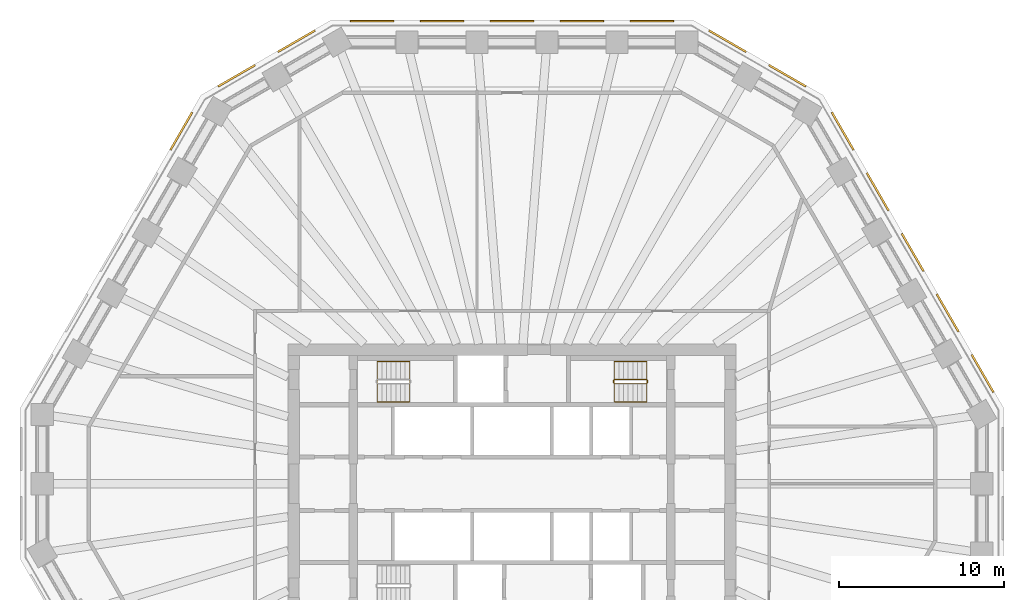
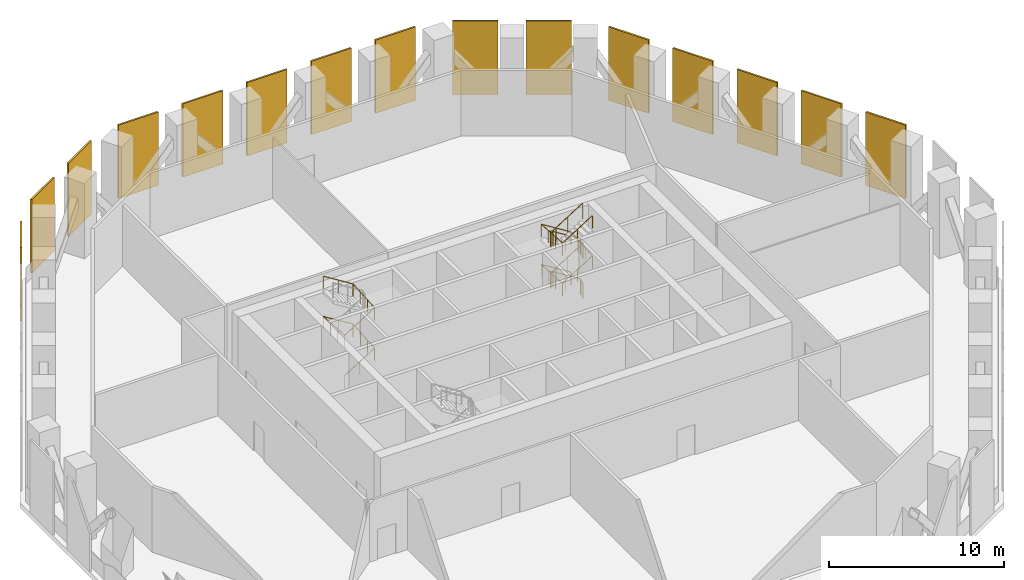
# One storey, part 8 of 8: 15 coverings, 3 railings.
"""IFC4 building model written with IfcOpenShell, lengths in metres."""

from ifc_helpers import new_model, si_unit, direction, frame, origin, origin_2d, place, context, subcontext, project, spatial, polyline, circle, outline, extrude, material, layer, layer_set, type_object, element, save


model = new_model("IFC4")

# Units and contexts
model_context = context("Model", 3, precision=1e-05, world=origin(), true_north=direction((0.0, 1.0)))
body_context = subcontext(model_context, "Body", "Model", "MODEL_VIEW")
ifc_project = project(units=[si_unit("LENGTHUNIT", "METRE"), si_unit("AREAUNIT", "SQUARE_METRE"), si_unit("VOLUMEUNIT", "CUBIC_METRE"), si_unit("PLANEANGLEUNIT", "RADIAN"), si_unit("MASSUNIT", "GRAM", prefix="KILO")], contexts=[model_context])

# Site, building, storey
site_placement = place(None, origin())
site = spatial("IfcSite", under=ifc_project, at=site_placement, CompositionType="ELEMENT")
building_placement = place(site_placement, origin())
building = spatial("IfcBuilding", under=site, at=building_placement, Name="Frailejon Research Tower", CompositionType="ELEMENT")
storey_placement = place(building_placement, frame((0.0, 0.0, 139.60009765625)))
storey = spatial("IfcBuildingStorey", under=building, at=storey_placement, Name="L30", CompositionType="ELEMENT", Elevation=139.60009765625)

# Coverings
ifc_material_1 = material(Name="Anodised aluminium louvres", Category="aluminium")
ifc_layer = layer(ifc_material_1, 0.1201171875)
ifc_layer_set = layer_set([ifc_layer], Name="Plant louvre screen 120")
covering_type = type_object("IfcCoveringType", Name="Plant louvre screen 120", PredefinedType="CLADDING", material=ifc_layer_set)
for number, where, z_axis, x_axis, name in (
    (1, (27.865966796875, 7.834716796875, 0.0), (0.500012227926, -0.866018343873, 0.0), (0.866018343873, 0.500012227926, 0.0), "Plant louvre screen L30"),
    (2, (25.75, 11.499755859375, 0.0), (0.499984274002, -0.866034483003, 0.0), (0.866034483003, 0.499984274002, 0.0), "Plant louvre screen L30"),
):
    element("IfcCovering", number, at=place(storey_placement, frame(where, z_axis=z_axis, x_axis=x_axis)), inside=storey, type_object=covering_type, Name=name, PredefinedType="CLADDING", context=body_context, shape_type="SweptSolid", body=[
        extrude(outline(polyline([(-0.1201171875, 0.0), (0.0, 0.0), (0.0, 5.10009765625), (-0.1201171875, 5.10009765625), (-0.1201171875, 0.0)])), origin(), (0.0, 0.0, 1.0), 2.6318359375),
    ])
for number, where, z_axis, x_axis, name in (
    (3, (23.634033203125, 15.164794921875, 0.0), (0.500001996169, -0.866024251293, 0.0), (0.866024251293, 0.500001996169, 0.0), "Plant louvre screen L30"),
    (4, (21.51806640625, 18.82958984375, 0.0), (0.500001996169, -0.866024251293, 0.0), (0.866024251293, 0.500001996169, 0.0), "Plant louvre screen L30"),
):
    element("IfcCovering", number, at=place(storey_placement, frame(where, z_axis=z_axis, x_axis=x_axis)), inside=storey, type_object=covering_type, Name=name, PredefinedType="CLADDING", context=body_context, shape_type="SweptSolid", body=[
        extrude(outline(polyline([(-0.1201171875, 0.0), (0.0, 0.0), (0.0, 5.10009765625), (-0.1201171875, 5.10009765625), (-0.1201171875, 0.0)])), origin(), (0.0, 0.0, 1.0), 2.632080078125),
    ])
covering_1_placement = place(storey_placement, frame((19.402099609375, 22.49462890625, 0.0), z_axis=(0.500012227926, -0.866018343873, 0.0), x_axis=(0.866018343873, 0.500012227926, 0.0)))
element("IfcCovering", 5, at=covering_1_placement, inside=storey, type_object=covering_type, Name="Plant louvre screen L30", PredefinedType="CLADDING", context=body_context, shape_type="SweptSolid", body=[
    extrude(outline(polyline([(-0.1201171875, 0.0), (0.0, 0.0), (0.0, 5.10009765625), (-0.1201171875, 5.10009765625), (-0.1201171875, 0.0)])), origin(), (0.0, 0.0, 1.0), 2.6318359375),
])
for number, where, z_axis, x_axis, name in (
    (6, (15.57421875, 25.375244140625, 0.0), (0.866021344981, -0.500007029989, 0.0), (0.500007029989, 0.866021344981, 0.0), "Plant louvre screen L30"),
    (7, (11.94775390625, 27.468994140625, 0.0), (0.866021344981, -0.500007029989, 0.0), (0.500007029989, 0.866021344981, 0.0), "Plant louvre screen L30"),
):
    element("IfcCovering", number, at=place(storey_placement, frame(where, z_axis=z_axis, x_axis=x_axis)), inside=storey, type_object=covering_type, Name=name, PredefinedType="CLADDING", context=body_context, shape_type="SweptSolid", body=[
        extrude(outline(polyline([(-0.1201171875, 0.0), (0.0, 0.0), (0.0, 5.10009765625), (-0.1201171875, 5.10009765625), (-0.1201171875, 0.0)])), origin(), (0.0, 0.0, 1.0), 2.58740234375),
    ])
covering_2_placement = place(storey_placement, frame((7.14794921875, 28.050048828125, 0.0), z_axis=(1.0, 0.0, 0.0), x_axis=(0.0, 1.0, 0.0)))
element("IfcCovering", 8, at=covering_2_placement, inside=storey, type_object=covering_type, Name="Plant louvre screen L30", PredefinedType="CLADDING", context=body_context, shape_type="SweptSolid", body=[
    extrude(outline(polyline([(-0.1201171875, 0.0), (0.0, 0.0), (0.0, 5.10009765625), (-0.1201171875, 5.10009765625), (-0.1201171875, 0.0)])), origin(), (0.0, 0.0, 1.0), 2.632080078125),
])
covering_3_placement = place(storey_placement, frame((2.916015625, 28.050048828125, 0.0), z_axis=(1.0, 0.0, 0.0), x_axis=(0.0, 1.0, 0.0)))
element("IfcCovering", 9, at=covering_3_placement, inside=storey, type_object=covering_type, Name="Plant louvre screen L30", PredefinedType="CLADDING", context=body_context, shape_type="SweptSolid", body=[
    extrude(outline(polyline([(-0.1201171875, 0.0), (0.0, 0.0), (0.0, 5.10009765625), (-0.1201171875, 5.10009765625), (-0.1201171875, 0.0)])), origin(), (0.0, 0.0, 1.0), 2.6318359375),
])
covering_4_placement = place(storey_placement, frame((-1.31591796875, 28.050048828125, 0.0), z_axis=(1.0, 0.0, 0.0), x_axis=(0.0, 1.0, 0.0)))
element("IfcCovering", 10, at=covering_4_placement, inside=storey, type_object=covering_type, Name="Plant louvre screen L30", PredefinedType="CLADDING", context=body_context, shape_type="SweptSolid", body=[
    extrude(outline(polyline([(-0.1201171875, 0.0), (0.0, 0.0), (0.0, 5.10009765625), (-0.1201171875, 5.10009765625), (-0.1201171875, 0.0)])), origin(), (0.0, 0.0, 1.0), 2.632080078125),
])
covering_5_placement = place(storey_placement, frame((-5.5478515625, 28.050048828125, 0.0), z_axis=(1.0, 0.0, 0.0), x_axis=(0.0, 1.0, 0.0)))
element("IfcCovering", 11, at=covering_5_placement, inside=storey, type_object=covering_type, Name="Plant louvre screen L30", PredefinedType="CLADDING", context=body_context, shape_type="SweptSolid", body=[
    extrude(outline(polyline([(-0.1201171875, 0.0), (0.0, 0.0), (0.0, 5.10009765625), (-0.1201171875, 5.10009765625), (-0.1201171875, 0.0)])), origin(), (0.0, 0.0, 1.0), 2.6318359375),
])
covering_6_placement = place(storey_placement, frame((-9.77978515625, 28.050048828125, 0.0), z_axis=(1.0, 0.0, 0.0), x_axis=(0.0, 1.0, 0.0)))
element("IfcCovering", 12, at=covering_6_placement, inside=storey, type_object=covering_type, Name="Plant louvre screen L30", PredefinedType="CLADDING", context=body_context, shape_type="SweptSolid", body=[
    extrude(outline(polyline([(-0.1201171875, 0.0), (0.0, 0.0), (0.0, 5.10009765625), (-0.1201171875, 5.10009765625), (-0.1201171875, 0.0)])), origin(), (0.0, 0.0, 1.0), 2.632080078125),
])
for number, where, z_axis, x_axis, name in (
    (13, (-14.188720703125, 26.17529296875, 0.0), (0.866021344981, 0.500007029989, 0.0), (-0.500007029989, 0.866021344981, 0.0), "Plant louvre screen L30"),
    (14, (-17.815185546875, 24.08154296875, 0.0), (0.866021344981, 0.500007029989, 0.0), (-0.500007029989, 0.866021344981, 0.0), "Plant louvre screen L30"),
):
    element("IfcCovering", number, at=place(storey_placement, frame(where, z_axis=z_axis, x_axis=x_axis)), inside=storey, type_object=covering_type, Name=name, PredefinedType="CLADDING", context=body_context, shape_type="SweptSolid", body=[
        extrude(outline(polyline([(-0.1201171875, 0.0), (0.0, 0.0), (0.0, 5.10009765625), (-0.1201171875, 5.10009765625), (-0.1201171875, 0.0)])), origin(), (0.0, 0.0, 1.0), 2.58740234375),
    ])
covering_7_placement = place(storey_placement, frame((-20.718017578125, 20.21533203125, 0.0), z_axis=(0.500012227926, 0.866018343873, 0.0), x_axis=(-0.866018343873, 0.500012227926, 0.0)))
element("IfcCovering", 15, at=covering_7_placement, inside=storey, type_object=covering_type, Name="Plant louvre screen L30", PredefinedType="CLADDING", context=body_context, shape_type="SweptSolid", body=[
    extrude(outline(polyline([(-0.1201171875, 0.0), (0.0, 0.0), (0.0, 5.10009765625), (-0.1201171875, 5.10009765625), (-0.1201171875, 0.0)])), origin(), (0.0, 0.0, 1.0), 2.6318359375),
])

# Railings
ifc_material_2 = material(Name="Stainless steel", Category="steel")
railing_type_1 = type_object("IfcRailingType", Name="Stair guard 1100", PredefinedType="GUARDRAIL", material=ifc_material_2)
railing_1_placement = place(storey_placement, frame((8.199951171875, 6.10009765625, 0.0)))
element("IfcRailing", 16, at=railing_1_placement, inside=storey, type_object=railing_type_1, Name="L30 ST3 stair guard 1", PredefinedType="GUARDRAIL", context=body_context, shape_type="SweptSolid", body=[
    extrude(circle(Radius=0.02392578125, at=origin_2d()), frame((0.0, 0.0, 1.076171875), z_axis=(0.0, 1.0, 0.0), x_axis=(-1.0, 0.0, 0.0)), (0.0, 0.0, 1.0), 0.14990234375),
    extrude(circle(Radius=0.02392578125, at=origin_2d()), frame((0.0, 0.14990234375, 1.076171875), z_axis=(-0.265383341853, 0.265383341853, 0.926899867156), x_axis=(-0.707106781187, -0.707106781187, 0.0)), (0.0, 0.0, 1.0), 0.1884765625),
    extrude(circle(Radius=0.02392578125, at=origin_2d()), frame((-0.050048828125, 0.199951171875, 1.2509765625), z_axis=(-0.847974566722, 0.0, 0.530036917764), x_axis=(0.0, -1.0, 0.0)), (0.0, 0.0, 1.0), 2.311279296875),
    extrude(circle(Radius=0.02392578125, at=origin_2d()), frame((-2.010009765625, 0.199951171875, 2.47607421875), z_axis=(-0.707106781187, -0.707106781187, 0.0), x_axis=(0.707106781187, -0.707106781187, 0.0)), (0.0, 0.0, 1.0), 0.07080078125),
    extrude(circle(Radius=0.02392578125, at=origin_2d()), frame((-2.06005859375, 0.14990234375, 2.47607421875), z_axis=(0.0, -1.0, 0.0), x_axis=(1.0, 0.0, 0.0)), (0.0, 0.0, 1.0), 0.14990234375),
    extrude(circle(Radius=0.02392578125, at=origin_2d()), frame((-2.06005859375, 0.0, 2.47607421875), z_axis=(0.265065253269, -0.265065253269, 0.927081885822), x_axis=(0.707106781187, 0.707106781187, 0.0)), (0.0, 0.0, 1.0), 0.188720703125),
    extrude(circle(Radius=0.02392578125, at=origin_2d()), frame((-2.010009765625, -0.050048828125, 2.65087890625), z_axis=(0.848022040916, 0.0, 0.529960959053), x_axis=(0.0, 1.0, 0.0)), (0.0, 0.0, 1.0), 2.311279296875),
    extrude(circle(Radius=0.02392578125, at=origin_2d()), frame((-0.050048828125, -0.050048828125, 3.8759765625), z_axis=(0.707106781187, 0.707106781187, 0.0), x_axis=(-0.707106781187, 0.707106781187, 0.0)), (0.0, 0.0, 1.0), 0.07080078125),
    extrude(circle(Radius=0.02392578125, at=origin_2d()), frame((0.0, 0.0, 3.8759765625), z_axis=(0.0, 1.0, 0.0), x_axis=(-1.0, 0.0, 0.0)), (0.0, 0.0, 1.0), 0.14990234375),
    extrude(circle(Radius=0.02392578125, at=origin_2d()), frame((0.0, 0.14990234375, 3.8759765625), z_axis=(-0.265065253269, 0.265065253269, 0.927081885822), x_axis=(-0.707106781187, -0.707106781187, 0.0)), (0.0, 0.0, 1.0), 0.188720703125),
    extrude(circle(Radius=0.02392578125, at=origin_2d()), frame((-0.050048828125, 0.199951171875, 4.05078125), z_axis=(-0.847974566722, 0.0, 0.530036917764), x_axis=(0.0, -1.0, 0.0)), (0.0, 0.0, 1.0), 2.311279296875),
    extrude(circle(Radius=0.02392578125, at=origin_2d()), frame((-2.010009765625, 0.199951171875, 5.27587890625), z_axis=(-0.707106781187, -0.707106781187, 0.0), x_axis=(0.707106781187, -0.707106781187, 0.0)), (0.0, 0.0, 1.0), 0.07080078125),
    extrude(circle(Radius=0.02392578125, at=origin_2d()), frame((-2.06005859375, 0.14990234375, 5.27587890625), z_axis=(0.0, -1.0, 0.0), x_axis=(1.0, 0.0, 0.0)), (0.0, 0.0, 1.0), 0.14990234375),
    extrude(circle(Radius=0.02392578125, at=origin_2d()), frame((-2.06005859375, 0.0, 5.27587890625), z_axis=(0.265065253269, -0.265065253269, 0.927081885822), x_axis=(0.707106781187, 0.707106781187, 0.0)), (0.0, 0.0, 1.0), 0.188720703125),
    extrude(circle(Radius=0.02392578125, at=origin_2d()), frame((-2.010009765625, -0.050048828125, 5.451171875), z_axis=(0.848022040916, 0.0, 0.529960959053), x_axis=(0.0, 1.0, 0.0)), (0.0, 0.0, 1.0), 2.311279296875),
    extrude(circle(Radius=0.02099609375, at=origin_2d()), origin(), (0.0, 0.0, 1.0), 1.052001953125),
    extrude(circle(Radius=0.02099609375, at=origin_2d()), frame((0.0, 0.14990234375, 0.0)), (0.0, 0.0, 1.0), 1.052001953125),
    extrude(circle(Radius=0.02099609375, at=origin_2d()), frame((-0.050048828125, 0.199951171875, 0.1748046875)), (0.0, 0.0, 1.0), 1.052001953125),
    extrude(circle(Radius=0.02099609375, at=origin_2d()), frame((-1.030029296875, 0.199951171875, 0.787353515625)), (0.0, 0.0, 1.0), 1.052001953125),
    extrude(circle(Radius=0.02099609375, at=origin_2d()), frame((-2.010009765625, 0.199951171875, 1.39990234375)), (0.0, 0.0, 1.0), 1.052001953125),
    extrude(circle(Radius=0.02099609375, at=origin_2d()), frame((-2.06005859375, 0.14990234375, 1.39990234375)), (0.0, 0.0, 1.0), 1.052001953125),
    extrude(circle(Radius=0.02099609375, at=origin_2d()), frame((-2.06005859375, 0.0, 1.39990234375)), (0.0, 0.0, 1.0), 1.052001953125),
    extrude(circle(Radius=0.02099609375, at=origin_2d()), frame((-2.010009765625, -0.050048828125, 1.574951171875)), (0.0, 0.0, 1.0), 1.052001953125),
    extrude(circle(Radius=0.02099609375, at=origin_2d()), frame((-1.030029296875, -0.050048828125, 2.1875)), (0.0, 0.0, 1.0), 1.052001953125),
    extrude(circle(Radius=0.02099609375, at=origin_2d()), frame((-0.050048828125, -0.050048828125, 2.7998046875)), (0.0, 0.0, 1.0), 1.052001953125),
    extrude(circle(Radius=0.02099609375, at=origin_2d()), frame((0.0, 0.0, 2.7998046875)), (0.0, 0.0, 1.0), 1.052001953125),
    extrude(circle(Radius=0.02099609375, at=origin_2d()), frame((0.0, 0.14990234375, 2.7998046875)), (0.0, 0.0, 1.0), 1.052001953125),
    extrude(circle(Radius=0.02099609375, at=origin_2d()), frame((-0.050048828125, 0.199951171875, 2.974853515625)), (0.0, 0.0, 1.0), 1.052001953125),
    extrude(circle(Radius=0.02099609375, at=origin_2d()), frame((-1.030029296875, 0.199951171875, 3.58740234375)), (0.0, 0.0, 1.0), 1.052001953125),
    extrude(circle(Radius=0.02099609375, at=origin_2d()), frame((-2.010009765625, 0.199951171875, 4.199951171875)), (0.0, 0.0, 1.0), 1.052001953125),
    extrude(circle(Radius=0.02099609375, at=origin_2d()), frame((-2.06005859375, 0.14990234375, 4.199951171875)), (0.0, 0.0, 1.0), 1.052001953125),
    extrude(circle(Radius=0.02099609375, at=origin_2d()), frame((-2.06005859375, 0.0, 4.199951171875)), (0.0, 0.0, 1.0), 1.052001953125),
    extrude(circle(Radius=0.02099609375, at=origin_2d()), frame((-2.010009765625, -0.050048828125, 4.375)), (0.0, 0.0, 1.0), 1.052001953125),
    extrude(circle(Radius=0.02099609375, at=origin_2d()), frame((-1.030029296875, -0.050048828125, 4.9873046875)), (0.0, 0.0, 1.0), 1.052001953125),
    extrude(circle(Radius=0.02099609375, at=origin_2d()), frame((-0.050048828125, -0.050048828125, 5.599853515625)), (0.0, 0.0, 1.0), 1.052001953125),
])
ifc_material_3 = material(Name="Stainless steel", Category="steel")
railing_type_2 = type_object("IfcRailingType", Name="Stair handrail 900", PredefinedType="HANDRAIL", material=ifc_material_3)
railing_2_placement = place(storey_placement, frame((-8.14990234375, 4.949951171875, 0.1748046875)))
element("IfcRailing", 17, at=railing_2_placement, inside=storey, type_object=railing_type_2, Name="L30 ST1 stair handrail 1", PredefinedType="HANDRAIL", context=body_context, shape_type="SweptSolid", body=[
    extrude(circle(Radius=0.02392578125, at=origin_2d()), frame((0.0, 0.0, 0.8759765625), z_axis=(0.847974566722, 0.0, 0.530036917764), x_axis=(0.0, 1.0, 0.0)), (0.0, 0.0, 1.0), 2.311279296875),
    extrude(circle(Radius=0.02392578125, at=origin_2d()), frame((1.9599609375, 0.0, 2.10107421875), z_axis=(0.0, 0.997457185933, 0.071268241387), x_axis=(-1.0, 0.0, 0.0)), (0.0, 0.0, 1.0), 2.456298828125),
    extrude(circle(Radius=0.02392578125, at=origin_2d()), frame((1.9599609375, 2.449951171875, 2.27587890625), z_axis=(-0.848022040916, 0.0, 0.529960959053), x_axis=(0.0, -1.0, 0.0)), (0.0, 0.0, 1.0), 2.311279296875),
    extrude(circle(Radius=0.02392578125, at=origin_2d()), frame((0.0, 2.449951171875, 3.5009765625), z_axis=(0.0, -0.997457185933, 0.071268241387), x_axis=(1.0, 0.0, 0.0)), (0.0, 0.0, 1.0), 2.456298828125),
    extrude(circle(Radius=0.02392578125, at=origin_2d()), frame((0.0, 0.0, 3.67578125), z_axis=(0.847974566722, 0.0, 0.530036917764), x_axis=(0.0, 1.0, 0.0)), (0.0, 0.0, 1.0), 2.311279296875),
    extrude(circle(Radius=0.02392578125, at=origin_2d()), frame((1.9599609375, 0.0, 4.90087890625), z_axis=(0.0, 0.997457185933, 0.071268241387), x_axis=(-1.0, 0.0, 0.0)), (0.0, 0.0, 1.0), 2.456298828125),
    extrude(circle(Radius=0.02392578125, at=origin_2d()), frame((1.9599609375, 2.449951171875, 5.076171875), z_axis=(-0.848022040916, 0.0, 0.529960959053), x_axis=(0.0, -1.0, 0.0)), (0.0, 0.0, 1.0), 2.311279296875),
    extrude(circle(Radius=0.02099609375, at=origin_2d()), origin(), (0.0, 0.0, 1.0), 0.851806640625),
    extrude(circle(Radius=0.02099609375, at=origin_2d()), frame((0.97998046875, 0.0, 0.612548828125)), (0.0, 0.0, 1.0), 0.851806640625),
    extrude(circle(Radius=0.02099609375, at=origin_2d()), frame((1.9599609375, 0.0, 1.22509765625)), (0.0, 0.0, 1.0), 0.851806640625),
    extrude(circle(Radius=0.02099609375, at=origin_2d()), frame((1.9599609375, 0.816650390625, 1.283447265625)), (0.0, 0.0, 1.0), 0.851806640625),
    extrude(circle(Radius=0.02099609375, at=origin_2d()), frame((1.9599609375, 1.63330078125, 1.341796875)), (0.0, 0.0, 1.0), 0.851806640625),
    extrude(circle(Radius=0.02099609375, at=origin_2d()), frame((1.9599609375, 2.449951171875, 1.400146484375)), (0.0, 0.0, 1.0), 0.851806640625),
    extrude(circle(Radius=0.02099609375, at=origin_2d()), frame((0.97998046875, 2.449951171875, 2.0126953125)), (0.0, 0.0, 1.0), 0.851806640625),
    extrude(circle(Radius=0.02099609375, at=origin_2d()), frame((0.0, 2.449951171875, 2.625)), (0.0, 0.0, 1.0), 0.851806640625),
    extrude(circle(Radius=0.02099609375, at=origin_2d()), frame((0.0, 1.63330078125, 2.683349609375)), (0.0, 0.0, 1.0), 0.851806640625),
    extrude(circle(Radius=0.02099609375, at=origin_2d()), frame((0.0, 0.816650390625, 2.74169921875)), (0.0, 0.0, 1.0), 0.851806640625),
    extrude(circle(Radius=0.02099609375, at=origin_2d()), frame((0.0, 0.0, 2.800048828125)), (0.0, 0.0, 1.0), 0.851806640625),
    extrude(circle(Radius=0.02099609375, at=origin_2d()), frame((0.97998046875, 0.0, 3.41259765625)), (0.0, 0.0, 1.0), 0.851806640625),
    extrude(circle(Radius=0.02099609375, at=origin_2d()), frame((1.9599609375, 0.0, 4.025146484375)), (0.0, 0.0, 1.0), 0.851806640625),
    extrude(circle(Radius=0.02099609375, at=origin_2d()), frame((1.9599609375, 0.816650390625, 4.08349609375)), (0.0, 0.0, 1.0), 0.851806640625),
    extrude(circle(Radius=0.02099609375, at=origin_2d()), frame((1.9599609375, 1.63330078125, 4.141845703125)), (0.0, 0.0, 1.0), 0.851806640625),
    extrude(circle(Radius=0.02099609375, at=origin_2d()), frame((1.9599609375, 2.449951171875, 4.2001953125)), (0.0, 0.0, 1.0), 0.851806640625),
    extrude(circle(Radius=0.02099609375, at=origin_2d()), frame((0.97998046875, 2.449951171875, 4.8125)), (0.0, 0.0, 1.0), 0.851806640625),
    extrude(circle(Radius=0.02099609375, at=origin_2d()), frame((0.0, 2.449951171875, 5.425048828125)), (0.0, 0.0, 1.0), 0.851806640625),
])
railing_3_placement = place(storey_placement, frame((8.14990234375, 7.39990234375, 0.1748046875)))
element("IfcRailing", 18, at=railing_3_placement, inside=storey, type_object=railing_type_2, Name="L30 ST3 stair handrail 1", PredefinedType="HANDRAIL", context=body_context, shape_type="SweptSolid", body=[
    extrude(circle(Radius=0.02392578125, at=origin_2d()), frame((0.0, 0.0, 0.8759765625), z_axis=(-0.847974566722, 0.0, 0.530036917764), x_axis=(0.0, -1.0, 0.0)), (0.0, 0.0, 1.0), 2.311279296875),
    extrude(circle(Radius=0.02392578125, at=origin_2d()), frame((-1.9599609375, 0.0, 2.10107421875), z_axis=(0.0, -0.997457185933, 0.071268241387), x_axis=(1.0, 0.0, 0.0)), (0.0, 0.0, 1.0), 2.456298828125),
    extrude(circle(Radius=0.02392578125, at=origin_2d()), frame((-1.9599609375, -2.449951171875, 2.27587890625), z_axis=(0.848022040916, 0.0, 0.529960959053), x_axis=(0.0, 1.0, 0.0)), (0.0, 0.0, 1.0), 2.311279296875),
    extrude(circle(Radius=0.02392578125, at=origin_2d()), frame((0.0, -2.449951171875, 3.5009765625), z_axis=(0.0, 0.997457185933, 0.071268241387), x_axis=(-1.0, 0.0, 0.0)), (0.0, 0.0, 1.0), 2.456298828125),
    extrude(circle(Radius=0.02392578125, at=origin_2d()), frame((0.0, 0.0, 3.67578125), z_axis=(-0.847974566722, 0.0, 0.530036917764), x_axis=(0.0, -1.0, 0.0)), (0.0, 0.0, 1.0), 2.311279296875),
    extrude(circle(Radius=0.02392578125, at=origin_2d()), frame((-1.9599609375, 0.0, 4.90087890625), z_axis=(0.0, -0.997457185933, 0.071268241387), x_axis=(1.0, 0.0, 0.0)), (0.0, 0.0, 1.0), 2.456298828125),
    extrude(circle(Radius=0.02392578125, at=origin_2d()), frame((-1.9599609375, -2.449951171875, 5.076171875), z_axis=(0.848022040916, 0.0, 0.529960959053), x_axis=(0.0, 1.0, 0.0)), (0.0, 0.0, 1.0), 2.311279296875),
    extrude(circle(Radius=0.02099609375, at=origin_2d()), origin(), (0.0, 0.0, 1.0), 0.851806640625),
    extrude(circle(Radius=0.02099609375, at=origin_2d()), frame((-0.97998046875, 0.0, 0.612548828125)), (0.0, 0.0, 1.0), 0.851806640625),
    extrude(circle(Radius=0.02099609375, at=origin_2d()), frame((-1.9599609375, 0.0, 1.22509765625)), (0.0, 0.0, 1.0), 0.851806640625),
    extrude(circle(Radius=0.02099609375, at=origin_2d()), frame((-1.9599609375, -0.816650390625, 1.283447265625)), (0.0, 0.0, 1.0), 0.851806640625),
    extrude(circle(Radius=0.02099609375, at=origin_2d()), frame((-1.9599609375, -1.63330078125, 1.341796875)), (0.0, 0.0, 1.0), 0.851806640625),
    extrude(circle(Radius=0.02099609375, at=origin_2d()), frame((-1.9599609375, -2.449951171875, 1.400146484375)), (0.0, 0.0, 1.0), 0.851806640625),
    extrude(circle(Radius=0.02099609375, at=origin_2d()), frame((-0.97998046875, -2.449951171875, 2.0126953125)), (0.0, 0.0, 1.0), 0.851806640625),
    extrude(circle(Radius=0.02099609375, at=origin_2d()), frame((0.0, -2.449951171875, 2.625)), (0.0, 0.0, 1.0), 0.851806640625),
    extrude(circle(Radius=0.02099609375, at=origin_2d()), frame((0.0, -1.63330078125, 2.683349609375)), (0.0, 0.0, 1.0), 0.851806640625),
    extrude(circle(Radius=0.02099609375, at=origin_2d()), frame((0.0, -0.816650390625, 2.74169921875)), (0.0, 0.0, 1.0), 0.851806640625),
    extrude(circle(Radius=0.02099609375, at=origin_2d()), frame((0.0, 0.0, 2.800048828125)), (0.0, 0.0, 1.0), 0.851806640625),
    extrude(circle(Radius=0.02099609375, at=origin_2d()), frame((-0.97998046875, 0.0, 3.41259765625)), (0.0, 0.0, 1.0), 0.851806640625),
    extrude(circle(Radius=0.02099609375, at=origin_2d()), frame((-1.9599609375, 0.0, 4.025146484375)), (0.0, 0.0, 1.0), 0.851806640625),
    extrude(circle(Radius=0.02099609375, at=origin_2d()), frame((-1.9599609375, -0.816650390625, 4.08349609375)), (0.0, 0.0, 1.0), 0.851806640625),
    extrude(circle(Radius=0.02099609375, at=origin_2d()), frame((-1.9599609375, -1.63330078125, 4.141845703125)), (0.0, 0.0, 1.0), 0.851806640625),
    extrude(circle(Radius=0.02099609375, at=origin_2d()), frame((-1.9599609375, -2.449951171875, 4.2001953125)), (0.0, 0.0, 1.0), 0.851806640625),
    extrude(circle(Radius=0.02099609375, at=origin_2d()), frame((-0.97998046875, -2.449951171875, 4.8125)), (0.0, 0.0, 1.0), 0.851806640625),
    extrude(circle(Radius=0.02099609375, at=origin_2d()), frame((0.0, -2.449951171875, 5.425048828125)), (0.0, 0.0, 1.0), 0.851806640625),
])

save(model, "model.ifc")
